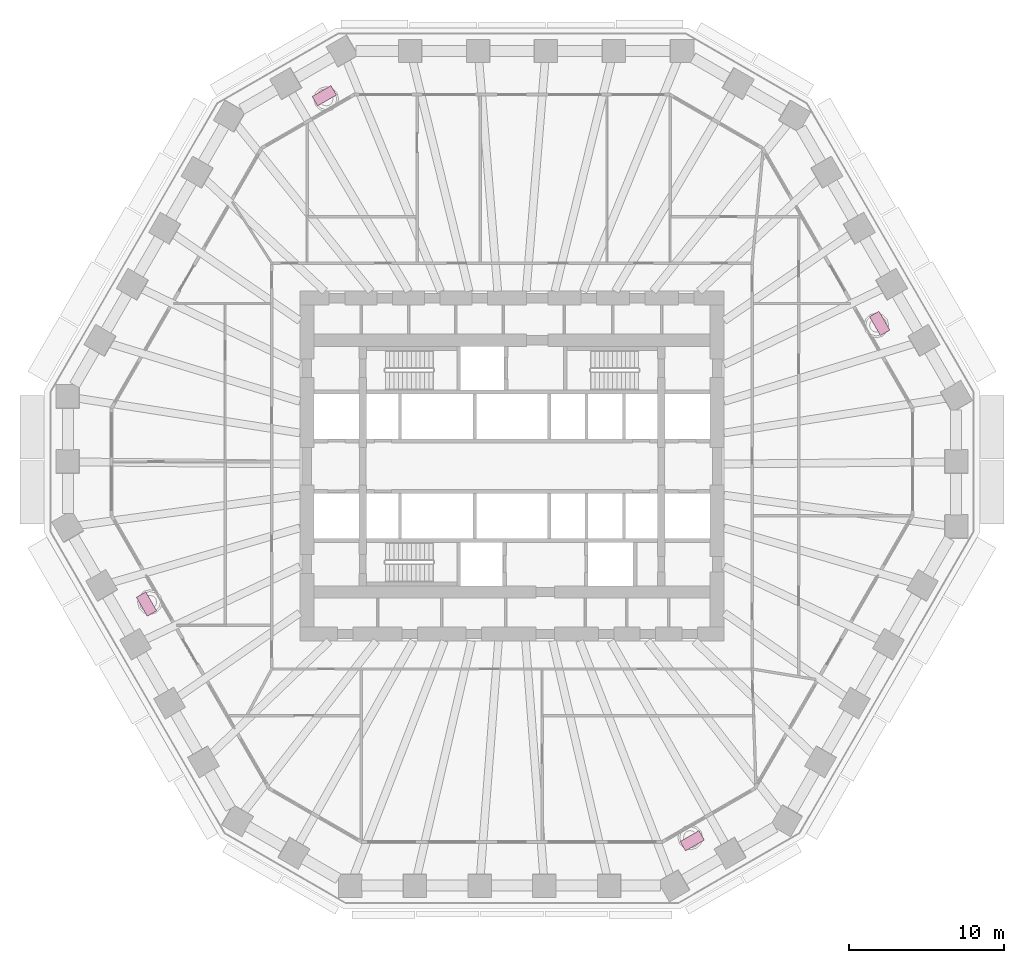
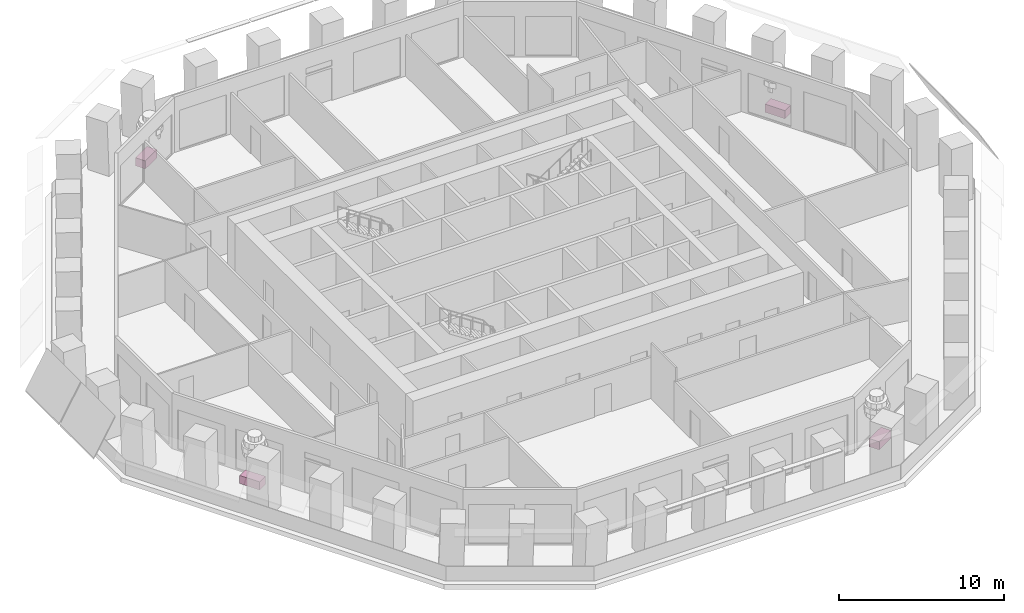
# One storey, part 12 of 13: 4 furniture elements.
"""IFC4 building model written with IfcOpenShell, lengths in metres."""

import ifcopenshell
import ifcopenshell.guid

model = None  # the IFC model being written
_history = None  # IfcOwnerHistory: only IFC2X3 demands one
_inside = {}  # id of a spatial element -> (the spatial element, [elements in it])
_under = {}  # id of a project, library or spatial element -> (it, [spatial elements below it])
_declared = {}  # id of a project -> (the project, [libraries it declares])
_typed = {}  # id of a type object -> (the type object, [elements of that type])
_made_of = {}  # id of a material, layer set ... -> (it, [elements and type objects made of it])


def new_model(schema):
    """Start an empty IFC model of exactly this schema.

    Asked for "IFC4X3", IfcOpenShell would pick the latest addendum, in which some entities
    have other attributes; the version numbers below select the first issue.
    IFC2X3 requires an IfcOwnerHistory on every rooted entity: one is made here for all.
    """
    global model, _history
    if schema == "IFC4X3":
        model = ifcopenshell.file(schema_version=(4, 3, 0, 0))
    else:
        model = ifcopenshell.file(schema=schema)
    _inside.clear()
    _under.clear()
    _declared.clear()
    _typed.clear()
    _made_of.clear()
    _history = None
    if model.schema == "IFC2X3":
        org = make("IfcOrganization", Name="unknown")
        user = make(
            "IfcPersonAndOrganization",
            ThePerson=make("IfcPerson", FamilyName="unknown"),
            TheOrganization=org,
        )
        app = make(
            "IfcApplication",
            ApplicationDeveloper=org,
            Version="unknown",
            ApplicationFullName="unknown",
            ApplicationIdentifier="unknown",
        )
        _history = make(
            "IfcOwnerHistory",
            OwningUser=user,
            OwningApplication=app,
            ChangeAction="ADDED",
            CreationDate=0,
        )
    return model


def make(cls, **values):
    """One entity of the class cls with the attributes given. An attribute that is None is left unset."""
    return model.create_entity(
        cls, **{name: value for name, value in values.items() if value is not None}
    )


def rooted(cls, **values):
    """An entity with a GlobalId (a new one), such as an element, a storey or a relation."""
    return make(cls, GlobalId=ifcopenshell.guid.new(), OwnerHistory=_history, **values)


def si_unit(unit_type, name, prefix=None):
    """IfcSIUnit, for example si_unit("LENGTHUNIT", "METRE", prefix="MILLI")."""
    return make("IfcSIUnit", UnitType=unit_type, Prefix=prefix, Name=name)


def assignment(units):
    """IfcUnitAssignment: the units of a project."""
    return None if units is None else make("IfcUnitAssignment", Units=units)


def point(xyz):
    """IfcCartesianPoint."""
    return None if xyz is None else make("IfcCartesianPoint", Coordinates=xyz)


def direction(xyz):
    """IfcDirection."""
    return None if xyz is None else make("IfcDirection", DirectionRatios=xyz)


def frame(location, z_axis=None, x_axis=None):
    """IfcAxis2Placement3D, a coordinate frame: its origin and axes. An axis left out is left unset."""
    return make(
        "IfcAxis2Placement3D",
        Location=point(location),
        Axis=direction(z_axis),
        RefDirection=direction(x_axis),
    )


def frame_2d(location, x_axis=None):
    """IfcAxis2Placement2D, a coordinate frame in the plane: its origin and x axis."""
    return make(
        "IfcAxis2Placement2D", Location=point(location), RefDirection=direction(x_axis)
    )


def origin():
    """The frame at (0, 0, 0) with its axes left unset."""
    return frame((0.0, 0.0, 0.0))


def origin_2d():
    """The frame at (0, 0) in the plane with its x axis left unset."""
    return frame_2d((0.0, 0.0))


def place(relative_to, where):
    """IfcLocalPlacement: puts the frame where relative to a parent placement (None: the world)."""
    return make(
        "IfcLocalPlacement", PlacementRelTo=relative_to, RelativePlacement=where
    )


def context(
    kind, dimensions, precision=None, world=None, true_north=None, identifier=None
):
    """IfcGeometricRepresentationContext, for example the 3D "Model" context."""
    return make(
        "IfcGeometricRepresentationContext",
        ContextIdentifier=identifier,
        ContextType=kind,
        CoordinateSpaceDimension=dimensions,
        Precision=precision,
        WorldCoordinateSystem=world,
        TrueNorth=true_north,
    )


def subcontext(parent, identifier, kind, view, scale=None):
    """IfcGeometricRepresentationSubContext, for example "Body" below "Model"."""
    return make(
        "IfcGeometricRepresentationSubContext",
        ContextIdentifier=identifier,
        ContextType=kind,
        ParentContext=parent,
        TargetScale=scale,
        TargetView=view,
    )


def project(units=None, contexts=None):
    """IfcProject with its units and contexts."""
    return rooted(
        "IfcProject",
        Name="project",
        RepresentationContexts=contexts,
        UnitsInContext=assignment(units),
    )


def spatial(cls, under=None, at=None, **own):
    """A site, building, storey or space (cls), placed at a placement, below another one or the project."""
    s = rooted(cls, ObjectPlacement=at, **own)
    if under is not None:
        _under.setdefault(under.id(), (under, []))[1].append(s)
    return s


def profile(cls, at=None, kind="AREA", **sizes):
    """A parametric profile (cls). Its sizes go by their IFC names, for example OverallWidth=200.0."""
    return make(cls, ProfileType=kind, Position=at, **sizes)


def rectangle(**sizes):
    """IfcRectangleProfileDef."""
    return profile("IfcRectangleProfileDef", **sizes)


def extrude(swept, where, along, depth):
    """IfcExtrudedAreaSolid: the profile swept, set in the frame where, extruded along a direction by depth."""
    return make(
        "IfcExtrudedAreaSolid",
        SweptArea=swept,
        Position=where,
        ExtrudedDirection=direction(along),
        Depth=depth,
    )


def shape(context_of_items, identifier, shape_type, items):
    """IfcShapeRepresentation: the items that make up one representation, for example the "Body"."""
    return make(
        "IfcShapeRepresentation",
        ContextOfItems=context_of_items,
        RepresentationIdentifier=identifier,
        RepresentationType=shape_type,
        Items=items,
    )


def material(Name=None, Category=None):
    """IfcMaterial."""
    return make("IfcMaterial", Name=Name, Category=Category)


def made_of(thing, what):
    """Note that an element or type object is made of a material, layer set ...; save() writes the relation."""
    if what is not None:
        _made_of.setdefault(what.id(), (what, []))[1].append(thing)
    return thing


def type_object(cls, material=None, **own):
    """A type object (cls), such as IfcWallType, which elements share."""
    return made_of(rooted(cls, **own), material)


def element(
    cls,
    number,
    at=None,
    inside=None,
    cuts=None,
    type_object=None,
    material=None,
    context=None,
    identifier="Body",
    shape_type=None,
    held_by="IfcProductDefinitionShape",
    body=None,
    shapes=None,
    **own,
):
    """One element of the class cls, such as IfcWall. Its Tag is "e" and its number.

    at: its placement. inside: the storey or other place that contains it. cuts: it is an
    opening in that element (IfcRelVoidsElement). A single representation is given by context,
    identifier, shape_type and body (its items); several are given by shapes. held_by: the class
    of the entity that holds the representations. save() writes the other relations.
    """
    e = rooted(cls, Tag="e%d" % number, ObjectPlacement=at, **own)
    if body is not None:
        shapes = [shape(context, identifier, shape_type, body)]
    if shapes is not None:
        e.Representation = make(held_by, Representations=shapes)
    if inside is not None:
        _inside.setdefault(inside.id(), (inside, []))[1].append(e)
    if cuts is not None:
        rooted(
            "IfcRelVoidsElement", RelatingBuildingElement=cuts, RelatedOpeningElement=e
        )
    if type_object is not None:
        _typed.setdefault(type_object.id(), (type_object, []))[1].append(e)
    return made_of(e, material)


def aggregate(whole, parts):
    """IfcRelAggregates: a whole, such as a stair, and the parts it consists of."""
    return rooted("IfcRelAggregates", RelatingObject=whole, RelatedObjects=parts)


def save(model, path):
    """Write the relations noted so far, then the file.

    IfcRelAggregates (storeys below a building ...), IfcRelContainedInSpatialStructure (elements
    in a storey), IfcRelDefinesByType, IfcRelAssociatesMaterial and IfcRelDeclares: one each for
    every whole, place, type object, material and project.
    """
    for whole, parts in _under.values():
        aggregate(whole, parts)
    for where, things in _inside.values():
        rooted(
            "IfcRelContainedInSpatialStructure",
            RelatedElements=things,
            RelatingStructure=where,
        )
    for kind, things in _typed.values():
        rooted("IfcRelDefinesByType", RelatedObjects=things, RelatingType=kind)
    for what, things in _made_of.values():
        rooted("IfcRelAssociatesMaterial", RelatedObjects=things, RelatingMaterial=what)
    for by, libraries in _declared.values():
        rooted("IfcRelDeclares", RelatingContext=by, RelatedDefinitions=libraries)
    model.write(path)


model = new_model("IFC4")

# Units and contexts
model_context = context("Model", 3, precision=1e-05, world=origin(), true_north=direction((0.0, 1.0)))
body_context = subcontext(model_context, "Body", "Model", "MODEL_VIEW")
ifc_project = project(units=[si_unit("LENGTHUNIT", "METRE"), si_unit("AREAUNIT", "SQUARE_METRE"), si_unit("VOLUMEUNIT", "CUBIC_METRE"), si_unit("PLANEANGLEUNIT", "RADIAN"), si_unit("MASSUNIT", "GRAM", prefix="KILO")], contexts=[model_context])

# Site, building, storey
site_placement = place(None, origin())
site = spatial("IfcSite", under=ifc_project, at=site_placement, CompositionType="ELEMENT")
building_placement = place(site_placement, origin())
building = spatial("IfcBuilding", under=site, at=building_placement, Name="Frailejon Research Tower", CompositionType="ELEMENT")
storey_placement = place(building_placement, frame((0.0, 0.0, 23.39990234375)))
storey = spatial("IfcBuildingStorey", under=building, at=storey_placement, Name="L05", CompositionType="ELEMENT", Elevation=23.39990234375)

# Furniture
ifc_material = material(Name="Precast concrete C30/37 planter, terracotta", Category="masonry")
furniture_type = type_object("IfcFurnitureType", Name="Loggia planter 1400x700", AssemblyPlace="NOTDEFINED", PredefinedType="USERDEFINED", material=ifc_material)
for number, where, z_axis, x_axis, name in (
    (1, (23.65625, 9.17919921875, 0.0), (0.0, 0.0, 1.0), (-0.5, 0.866025403784, 0.0), "Planter L05"),
    (2, (-12.07568359375, 23.826904296875, 0.0), (0.0, 0.0, 1.0), (-0.866025403784, -0.5, 0.0), "Planter L05"),
    (3, (-23.5126953125, -8.875, 0.0), (0.0, 0.0, 1.0), (0.5, -0.866025403784, 0.0), "Planter L05"),
    (4, (11.5966796875, -24.103271484375, 0.0), (0.0, 0.0, 1.0), (0.866025403784, 0.5, 0.0), "Planter L05"),
):
    element("IfcFurniture", number, at=place(storey_placement, frame(where, z_axis=z_axis, x_axis=x_axis)), inside=storey, type_object=furniture_type, Name=name, ObjectType="PLANTER", PredefinedType="USERDEFINED", context=body_context, shape_type="SweptSolid", body=[
        extrude(rectangle(XDim=1.39990234375, YDim=0.699951171875, at=origin_2d()), origin(), (0.0, 0.0, 1.0), 0.60009765625),
    ])

save(model, "model.ifc")
